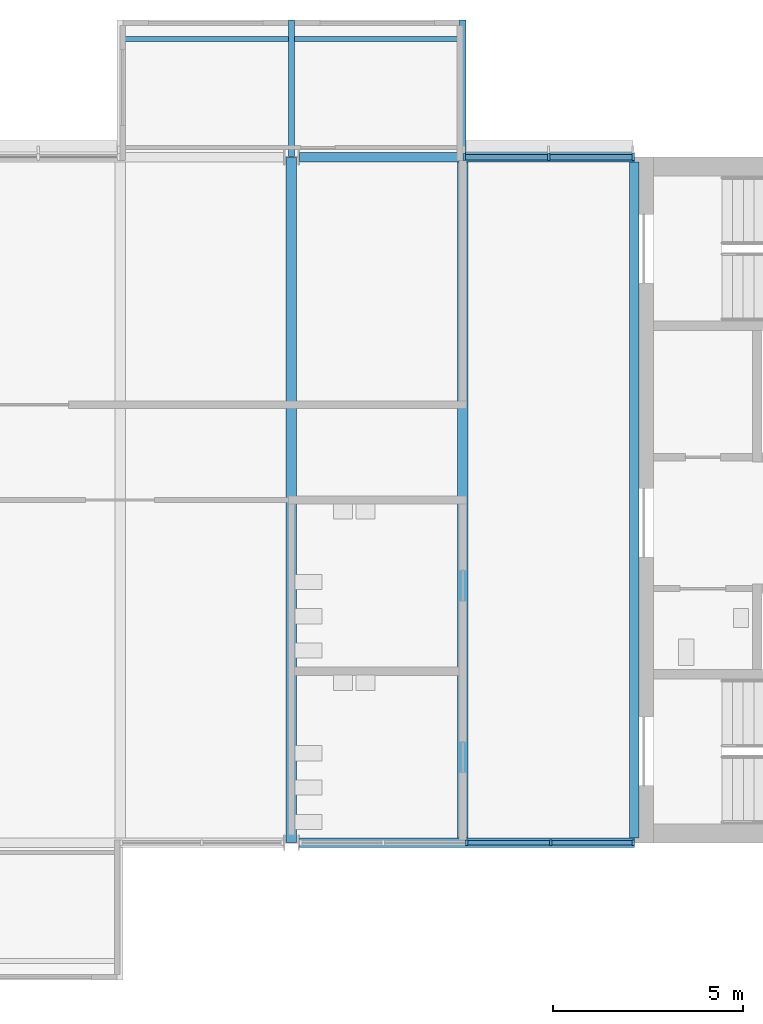
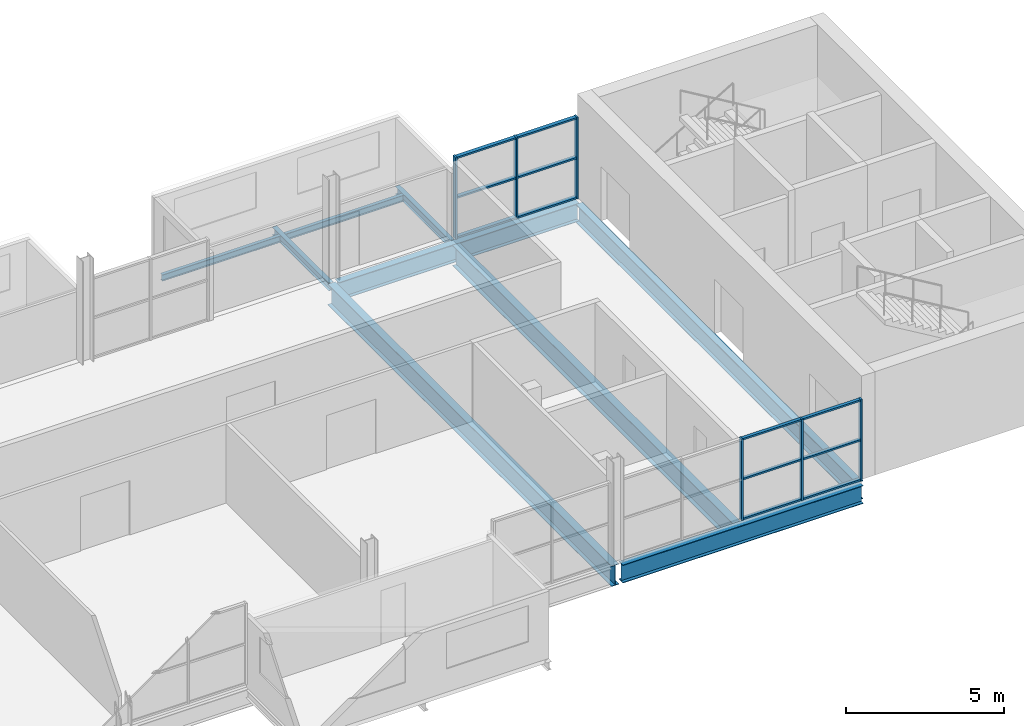
# One storey, part 3 of 10: 18 members, 9 beams, 2 elements without a shape of their own.
"""IFC4 building model written with IfcOpenShell, lengths in metres."""

from ifc_helpers import new_model, si_unit, direction, frame, origin, origin_2d, place, context, subcontext, project, spatial, rectangle, i_section, extrude, material, layer, layer_set, material_profile, profile_set, type_object, element, aggregate, save


model = new_model("IFC4")

# Units and contexts
model_context = context("Model", 3, precision=1e-05, world=origin(), true_north=direction((0.0, 1.0)))
body_context = subcontext(model_context, "Body", "Model", "MODEL_VIEW")
ifc_project = project(units=[si_unit("LENGTHUNIT", "METRE"), si_unit("AREAUNIT", "SQUARE_METRE"), si_unit("VOLUMEUNIT", "CUBIC_METRE"), si_unit("PLANEANGLEUNIT", "RADIAN"), si_unit("MASSUNIT", "GRAM", prefix="KILO")], contexts=[model_context])

# Site, building, storey
site_placement = place(None, origin())
site = spatial("IfcSite", under=ifc_project, at=site_placement, CompositionType="ELEMENT")
building_placement = place(site_placement, origin())
building = spatial("IfcBuilding", under=site, at=building_placement, Name="Corbel Yard City Hall", CompositionType="ELEMENT")
storey_placement = place(building_placement, frame((0.0, 0.0, 43.199951171875)))
storey = spatial("IfcBuildingStorey", under=building, at=storey_placement, Name="L10", CompositionType="ELEMENT", Elevation=43.199951171875)

# Beams
ifc_material_1 = material(Name="Steel Grade 350", Category="steel")
ifc_material_profile_1 = material_profile(ifc_material_1, i_section(OverallWidth=0.25, OverallDepth=0.699951171875, WebThickness=0.010009765625, FlangeThickness=0.02001953125, at=origin_2d()), Name="700WB130")
ifc_profile_set_1 = profile_set([ifc_material_profile_1], Name="Steel Grade 350")
beam_type_1 = type_object("IfcBeamType", Name="Edge beam 700WB130", PredefinedType="BEAM", material=ifc_profile_set_1)
for number, where, z_axis, x_axis, name in (
    (1, (36.20703125, 99.0, -0.5), (1.0, 0.0, 0.0), (0.0, 1.0, 0.0), "Edge beam 700WB130 EB9 L10tower"),
    (2, (36.20703125, 117.0, -0.5), (1.0, 0.0, 0.0), (0.0, 1.0, 0.0), "Edge beam 700WB130 EB9 L10tower"),
):
    element("IfcBeam", number, at=place(storey_placement, frame(where, z_axis=z_axis, x_axis=x_axis)), inside=storey, type_object=beam_type_1, Name=name, PredefinedType="BEAM", context=body_context, shape_type="SweptSolid", body=[
        extrude(i_section(OverallWidth=0.25, OverallDepth=0.699951171875, WebThickness=0.010009765625, FlangeThickness=0.02001953125, at=origin_2d()), origin(), (0.0, 0.0, 1.0), 8.79296875),
    ])
ifc_material_profile_2 = material_profile(ifc_material_1, i_section(OverallWidth=0.27490234375, OverallDepth=0.800048828125, WebThickness=0.010009765625, FlangeThickness=0.02001953125, at=origin_2d()), Name="800WB146")
ifc_profile_set_2 = profile_set([ifc_material_profile_2], Name="Steel Grade 350")
beam_type_2 = type_object("IfcBeamType", Name="Long-span beam 800WB146", PredefinedType="BEAM", material=ifc_profile_set_2)
beam_1_placement = place(storey_placement, frame((36.0, 99.012451171875, -0.550048828125), z_axis=(0.0, 1.0, 0.0), x_axis=(-1.0, 0.0, 0.0)))
element("IfcBeam", 3, at=beam_1_placement, inside=storey, type_object=beam_type_2, Name="Long-span beam 800WB146 SB8 L10tower", PredefinedType="BEAM", context=body_context, shape_type="SweptSolid", body=[
    extrude(i_section(OverallWidth=0.27490234375, OverallDepth=0.800048828125, WebThickness=0.010009765625, FlangeThickness=0.02001953125, at=origin_2d()), origin(), (0.0, 0.0, 1.0), 17.97509765625),
])
ifc_material_profile_3 = material_profile(ifc_material_1, i_section(OverallWidth=0.25, OverallDepth=0.7099609375, WebThickness=0.010009765625, FlangeThickness=0.02490234375, at=origin_2d()), Name="700WB150")
ifc_profile_set_3 = profile_set([ifc_material_profile_3], Name="Steel Grade 350")
beam_type_3 = type_object("IfcBeamType", Name="Long-span edge beam 700WB150", PredefinedType="BEAM", material=ifc_profile_set_3)
beam_2_placement = place(storey_placement, frame((45.0, 99.125, -0.5048828125), z_axis=(0.0, 1.0, 0.0), x_axis=(-1.0, 0.0, 0.0)))
element("IfcBeam", 4, at=beam_2_placement, inside=storey, type_object=beam_type_3, Name="Long-span edge beam 700WB150 EB8 L10tower", PredefinedType="BEAM", context=body_context, shape_type="SweptSolid", body=[
    extrude(i_section(OverallWidth=0.25, OverallDepth=0.7099609375, WebThickness=0.010009765625, FlangeThickness=0.02490234375, at=origin_2d()), origin(), (0.0, 0.0, 1.0), 17.75),
])
ifc_material_profile_4 = material_profile(ifc_material_1, i_section(OverallWidth=0.27490234375, OverallDepth=0.800048828125, WebThickness=0.010009765625, FlangeThickness=0.02001953125, at=origin_2d()), Name="800WB146")
ifc_profile_set_4 = profile_set([ifc_material_profile_4], Name="Steel Grade 350")
beam_type_4 = type_object("IfcBeamType", Name="Long-span secondary beam 800WB146", PredefinedType="JOIST", material=ifc_profile_set_4)
beam_3_placement = place(storey_placement, frame((40.5, 99.125, -0.550048828125), z_axis=(0.0, 1.0, 0.0), x_axis=(-1.0, 0.0, 0.0)))
element("IfcBeam", 5, at=beam_3_placement, inside=storey, type_object=beam_type_4, Name="Long-span secondary beam 800WB146 SB7 L10tower", PredefinedType="JOIST", context=body_context, shape_type="SweptSolid", body=[
    extrude(i_section(OverallWidth=0.27490234375, OverallDepth=0.800048828125, WebThickness=0.010009765625, FlangeThickness=0.02001953125, at=origin_2d()), origin(), (0.0, 0.0, 1.0), 17.75),
])

# Curtain wall, members
ifc_material_2 = material(Name="Aluminium extrusion", Category="aluminium")
ifc_layer_1 = layer(ifc_material_2, 0.14990234375)
ifc_layer_set_1 = layer_set([ifc_layer_1], Name="Aluminium extrusion")
curtain_wall_type_1 = type_object("IfcCurtainWallType", Name="CW2", PredefinedType="USERDEFINED", material=ifc_layer_set_1)
curtain_wall_1_placement = place(storey_placement, origin())
curtain_wall_1 = element("IfcCurtainWall", 6, at=curtain_wall_1_placement, inside=storey, type_object=curtain_wall_type_1, Name="Curtain wall CW2 L10", ObjectType="CURTAIN WALL", PredefinedType="USERDEFINED")
ifc_material_profile_5 = material_profile(ifc_material_2, rectangle(XDim=0.14990234375, YDim=0.06494140625, at=origin_2d()), Name="150x65")
ifc_profile_set_5 = profile_set([ifc_material_profile_5], Name="Aluminium extrusion")
member_type_1 = type_object("IfcMemberType", Name="ML2", PredefinedType="MULLION", material=ifc_profile_set_5)
member_1_placement = place(storey_placement, frame((40.603515625, 99.0, 0.0), z_axis=(0.0, 0.0, 1.0), x_axis=(0.0, 1.0, 0.0)))
member_1 = element("IfcMember", 7, at=member_1_placement, type_object=member_type_1, Name="CW2 mullion 3", PredefinedType="MULLION", context=body_context, shape_type="SweptSolid", body=[
    extrude(rectangle(XDim=0.14990234375, YDim=0.06494140625, at=origin_2d()), origin(), (0.0, 0.0, 1.0), 3.150146484375),
])
member_2_placement = place(storey_placement, frame((42.8017578125, 99.0, 0.0), z_axis=(0.0, 0.0, 1.0), x_axis=(0.0, 1.0, 0.0)))
member_2 = element("IfcMember", 8, at=member_2_placement, type_object=member_type_1, Name="CW2 mullion 4", PredefinedType="MULLION", context=body_context, shape_type="SweptSolid", body=[
    extrude(rectangle(XDim=0.14990234375, YDim=0.06494140625, at=origin_2d()), origin(), (0.0, 0.0, 1.0), 3.150146484375),
])
member_3_placement = place(storey_placement, frame((44.967529296875, 99.0, 0.0), z_axis=(0.0, 0.0, 1.0), x_axis=(0.0, 1.0, 0.0)))
member_3 = element("IfcMember", 9, at=member_3_placement, type_object=member_type_1, Name="CW2 mullion 5", PredefinedType="MULLION", context=body_context, shape_type="SweptSolid", body=[
    extrude(rectangle(XDim=0.14990234375, YDim=0.06494140625, at=origin_2d()), origin(), (0.0, 0.0, 1.0), 3.150146484375),
])

ifc_layer_2 = layer(ifc_material_2, 0.179931640625)
ifc_layer_set_2 = layer_set([ifc_layer_2], Name="Aluminium extrusion")
curtain_wall_type_2 = type_object("IfcCurtainWallType", Name="CW6", PredefinedType="USERDEFINED", material=ifc_layer_set_2)
curtain_wall_2_placement = place(storey_placement, origin())
curtain_wall_2 = element("IfcCurtainWall", 10, at=curtain_wall_2_placement, inside=storey, type_object=curtain_wall_type_2, Name="Curtain wall CW6 L10", ObjectType="CURTAIN WALL", PredefinedType="USERDEFINED")
ifc_material_profile_6 = material_profile(ifc_material_2, rectangle(XDim=0.179931640625, YDim=0.06494140625, at=origin_2d()), Name="180x65")
ifc_profile_set_6 = profile_set([ifc_material_profile_6], Name="Aluminium extrusion")
member_type_2 = type_object("IfcMemberType", Name="ML6", PredefinedType="MULLION", material=ifc_profile_set_6)
member_4_placement = place(storey_placement, frame((40.532470703125, 117.0, 0.0), z_axis=(0.0, 0.0, 1.0), x_axis=(0.0, 1.0, 0.0)))
member_4 = element("IfcMember", 11, at=member_4_placement, type_object=member_type_2, Name="CW6 mullion 1", PredefinedType="MULLION", context=body_context, shape_type="SweptSolid", body=[
    extrude(rectangle(XDim=0.179931640625, YDim=0.06494140625, at=origin_2d()), origin(), (0.0, 0.0, 1.0), 3.150146484375),
])
member_5_placement = place(storey_placement, frame((42.75, 117.0, 0.0), z_axis=(0.0, 0.0, 1.0), x_axis=(0.0, 1.0, 0.0)))
member_5 = element("IfcMember", 12, at=member_5_placement, type_object=member_type_2, Name="CW6 mullion 2", PredefinedType="MULLION", context=body_context, shape_type="SweptSolid", body=[
    extrude(rectangle(XDim=0.179931640625, YDim=0.06494140625, at=origin_2d()), origin(), (0.0, 0.0, 1.0), 3.150146484375),
])
member_6_placement = place(storey_placement, frame((44.967529296875, 117.0, 0.0), z_axis=(0.0, 0.0, 1.0), x_axis=(0.0, 1.0, 0.0)))
member_6 = element("IfcMember", 13, at=member_6_placement, type_object=member_type_2, Name="CW6 mullion 3", PredefinedType="MULLION", context=body_context, shape_type="SweptSolid", body=[
    extrude(rectangle(XDim=0.179931640625, YDim=0.06494140625, at=origin_2d()), origin(), (0.0, 0.0, 1.0), 3.150146484375),
])

# Beams
ifc_material_3 = material(Name="Steel Grade 300 (300 MPa yield)", Category="steel")
ifc_material_profile_7 = material_profile(ifc_material_3, i_section(OverallWidth=0.166015625, OverallDepth=0.306884765625, WebThickness=0.006591796875, FlangeThickness=0.01171875, at=origin_2d()), Name="310UB46.2")
ifc_profile_set_7 = profile_set([ifc_material_profile_7], Name="Steel Grade 300 (300 MPa yield)")
beam_type_5 = type_object("IfcBeamType", Name="Pod stub beam 310UB46.2", PredefinedType="BEAM", material=ifc_profile_set_7)
beam_4_placement = place(storey_placement, frame((36.0, 117.012451171875, -0.303466796875), z_axis=(0.0, 1.0, 0.0), x_axis=(-1.0, 0.0, 0.0)))
element("IfcBeam", 14, at=beam_4_placement, inside=storey, type_object=beam_type_5, Name="Pod stub 310UB46.2 CB1 L10", PredefinedType="BEAM", context=body_context, shape_type="SweptSolid", body=[
    extrude(i_section(OverallWidth=0.166015625, OverallDepth=0.306884765625, WebThickness=0.006591796875, FlangeThickness=0.01171875, at=origin_2d()), origin(), (0.0, 0.0, 1.0), 3.587646484375),
])
beam_5_placement = place(storey_placement, frame((40.5, 117.125, -0.303466796875), z_axis=(0.0, 1.0, 0.0), x_axis=(-1.0, 0.0, 0.0)))
element("IfcBeam", 15, at=beam_5_placement, inside=storey, type_object=beam_type_5, Name="Pod stub 310UB46.2 CB1 L10", PredefinedType="BEAM", context=body_context, shape_type="SweptSolid", body=[
    extrude(i_section(OverallWidth=0.166015625, OverallDepth=0.306884765625, WebThickness=0.006591796875, FlangeThickness=0.01171875, at=origin_2d()), origin(), (0.0, 0.0, 1.0), 3.47509765625),
])
ifc_material_profile_8 = material_profile(ifc_material_3, i_section(OverallWidth=0.1240234375, OverallDepth=0.248046875, WebThickness=0.0048828125, FlangeThickness=0.008056640625, at=origin_2d()), Name="250UB25.7")
ifc_profile_set_8 = profile_set([ifc_material_profile_8], Name="Steel Grade 300 (300 MPa yield)")
beam_type_6 = type_object("IfcBeamType", Name="Pod tip beam", PredefinedType="BEAM", material=ifc_profile_set_8)
for number, where, z_axis, x_axis, name in (
    (16, (31.5830078125, 120.10009765625, -0.27392578125), (1.0, 0.0, 0.0), (0.0, 1.0, 0.0), "Pod tip beam"),
    (17, (36.0830078125, 120.10009765625, -0.27392578125), (1.0, 0.0, 0.0), (0.0, 1.0, 0.0), "Pod tip beam"),
):
    element("IfcBeam", number, at=place(storey_placement, frame(where, z_axis=z_axis, x_axis=x_axis)), inside=storey, type_object=beam_type_6, Name=name, PredefinedType="BEAM", context=body_context, shape_type="SweptSolid", body=[
        extrude(i_section(OverallWidth=0.1240234375, OverallDepth=0.248046875, WebThickness=0.0048828125, FlangeThickness=0.008056640625, at=origin_2d()), origin(), (0.0, 0.0, 1.0), 4.333984375),
    ])

# Member
ifc_material_profile_9 = material_profile(ifc_material_2, rectangle(XDim=0.1201171875, YDim=0.06494140625, at=origin_2d()), Name="120x65")
ifc_profile_set_9 = profile_set([ifc_material_profile_9], Name="Aluminium extrusion")
member_type_3 = type_object("IfcMemberType", Name="TR2", PredefinedType="USERDEFINED", material=ifc_profile_set_9)
member_7_placement = place(storey_placement, frame((40.635986328125, 99.0, 0.032470703125), z_axis=(1.0, 0.0, 0.0), x_axis=(0.0, 1.0, 0.0)))
member_7 = element("IfcMember", 18, at=member_7_placement, type_object=member_type_3, Name="CW2 transom 3.1", ObjectType="TRANSOM", PredefinedType="USERDEFINED", context=body_context, shape_type="SweptSolid", body=[
    extrude(rectangle(XDim=0.1201171875, YDim=0.06494140625, at=origin_2d()), origin(), (0.0, 0.0, 1.0), 2.13330078125),
])

member_8_placement = place(storey_placement, frame((40.635986328125, 99.0, 1.574951171875), z_axis=(1.0, 0.0, 0.0), x_axis=(0.0, 1.0, 0.0)))
member_8 = element("IfcMember", 19, at=member_8_placement, type_object=member_type_3, Name="CW2 transom 3.2", ObjectType="TRANSOM", PredefinedType="USERDEFINED", context=body_context, shape_type="SweptSolid", body=[
    extrude(rectangle(XDim=0.1201171875, YDim=0.06494140625, at=origin_2d()), origin(), (0.0, 0.0, 1.0), 2.13330078125),
])

member_9_placement = place(storey_placement, frame((40.635986328125, 99.0, 3.117431640625), z_axis=(1.0, 0.0, 0.0), x_axis=(0.0, 1.0, 0.0)))
member_9 = element("IfcMember", 20, at=member_9_placement, type_object=member_type_3, Name="CW2 transom 3.3", ObjectType="TRANSOM", PredefinedType="USERDEFINED", context=body_context, shape_type="SweptSolid", body=[
    extrude(rectangle(XDim=0.1201171875, YDim=0.06494140625, at=origin_2d()), origin(), (0.0, 0.0, 1.0), 2.13330078125),
])

member_10_placement = place(storey_placement, frame((42.834228515625, 99.0, 0.032470703125), z_axis=(1.0, 0.0, 0.0), x_axis=(0.0, 1.0, 0.0)))
member_10 = element("IfcMember", 21, at=member_10_placement, type_object=member_type_3, Name="CW2 transom 4.1", ObjectType="TRANSOM", PredefinedType="USERDEFINED", context=body_context, shape_type="SweptSolid", body=[
    extrude(rectangle(XDim=0.1201171875, YDim=0.06494140625, at=origin_2d()), origin(), (0.0, 0.0, 1.0), 2.100830078125),
])

member_11_placement = place(storey_placement, frame((42.834228515625, 99.0, 1.574951171875), z_axis=(1.0, 0.0, 0.0), x_axis=(0.0, 1.0, 0.0)))
member_11 = element("IfcMember", 22, at=member_11_placement, type_object=member_type_3, Name="CW2 transom 4.2", ObjectType="TRANSOM", PredefinedType="USERDEFINED", context=body_context, shape_type="SweptSolid", body=[
    extrude(rectangle(XDim=0.1201171875, YDim=0.06494140625, at=origin_2d()), origin(), (0.0, 0.0, 1.0), 2.100830078125),
])

member_12_placement = place(storey_placement, frame((42.834228515625, 99.0, 3.117431640625), z_axis=(1.0, 0.0, 0.0), x_axis=(0.0, 1.0, 0.0)))
member_12 = element("IfcMember", 23, at=member_12_placement, type_object=member_type_3, Name="CW2 transom 4.3", ObjectType="TRANSOM", PredefinedType="USERDEFINED", context=body_context, shape_type="SweptSolid", body=[
    extrude(rectangle(XDim=0.1201171875, YDim=0.06494140625, at=origin_2d()), origin(), (0.0, 0.0, 1.0), 2.100830078125),
])

aggregate(curtain_wall_1, [member_1, member_2, member_3, member_7, member_8, member_9, member_10, member_11, member_12])

ifc_material_profile_10 = material_profile(ifc_material_2, rectangle(XDim=0.139892578125, YDim=0.06494140625, at=origin_2d()), Name="140x65")
ifc_profile_set_10 = profile_set([ifc_material_profile_10], Name="Aluminium extrusion")
member_type_4 = type_object("IfcMemberType", Name="TR6", PredefinedType="USERDEFINED", material=ifc_profile_set_10)
member_13_placement = place(storey_placement, frame((40.56494140625, 117.0, 0.032470703125), z_axis=(1.0, 0.0, 0.0), x_axis=(0.0, 1.0, 0.0)))
member_13 = element("IfcMember", 24, at=member_13_placement, type_object=member_type_4, Name="CW6 transom 1.1", ObjectType="TRANSOM", PredefinedType="USERDEFINED", context=body_context, shape_type="SweptSolid", body=[
    extrude(rectangle(XDim=0.139892578125, YDim=0.06494140625, at=origin_2d()), origin(), (0.0, 0.0, 1.0), 2.152587890625),
])

member_14_placement = place(storey_placement, frame((40.56494140625, 117.0, 1.574951171875), z_axis=(1.0, 0.0, 0.0), x_axis=(0.0, 1.0, 0.0)))
member_14 = element("IfcMember", 25, at=member_14_placement, type_object=member_type_4, Name="CW6 transom 1.2", ObjectType="TRANSOM", PredefinedType="USERDEFINED", context=body_context, shape_type="SweptSolid", body=[
    extrude(rectangle(XDim=0.139892578125, YDim=0.06494140625, at=origin_2d()), origin(), (0.0, 0.0, 1.0), 2.152587890625),
])

member_15_placement = place(storey_placement, frame((40.56494140625, 117.0, 3.117431640625), z_axis=(1.0, 0.0, 0.0), x_axis=(0.0, 1.0, 0.0)))
member_15 = element("IfcMember", 26, at=member_15_placement, type_object=member_type_4, Name="CW6 transom 1.3", ObjectType="TRANSOM", PredefinedType="USERDEFINED", context=body_context, shape_type="SweptSolid", body=[
    extrude(rectangle(XDim=0.139892578125, YDim=0.06494140625, at=origin_2d()), origin(), (0.0, 0.0, 1.0), 2.152587890625),
])

member_16_placement = place(storey_placement, frame((42.782470703125, 117.0, 0.032470703125), z_axis=(1.0, 0.0, 0.0), x_axis=(0.0, 1.0, 0.0)))
member_16 = element("IfcMember", 27, at=member_16_placement, type_object=member_type_4, Name="CW6 transom 2.1", ObjectType="TRANSOM", PredefinedType="USERDEFINED", context=body_context, shape_type="SweptSolid", body=[
    extrude(rectangle(XDim=0.139892578125, YDim=0.06494140625, at=origin_2d()), origin(), (0.0, 0.0, 1.0), 2.152587890625),
])

member_17_placement = place(storey_placement, frame((42.782470703125, 117.0, 1.574951171875), z_axis=(1.0, 0.0, 0.0), x_axis=(0.0, 1.0, 0.0)))
member_17 = element("IfcMember", 28, at=member_17_placement, type_object=member_type_4, Name="CW6 transom 2.2", ObjectType="TRANSOM", PredefinedType="USERDEFINED", context=body_context, shape_type="SweptSolid", body=[
    extrude(rectangle(XDim=0.139892578125, YDim=0.06494140625, at=origin_2d()), origin(), (0.0, 0.0, 1.0), 2.152587890625),
])

member_18_placement = place(storey_placement, frame((42.782470703125, 117.0, 3.117431640625), z_axis=(1.0, 0.0, 0.0), x_axis=(0.0, 1.0, 0.0)))
member_18 = element("IfcMember", 29, at=member_18_placement, type_object=member_type_4, Name="CW6 transom 2.3", ObjectType="TRANSOM", PredefinedType="USERDEFINED", context=body_context, shape_type="SweptSolid", body=[
    extrude(rectangle(XDim=0.139892578125, YDim=0.06494140625, at=origin_2d()), origin(), (0.0, 0.0, 1.0), 2.152587890625),
])

aggregate(curtain_wall_2, [member_4, member_5, member_6, member_13, member_14, member_15, member_16, member_17, member_18])

save(model, "model.ifc")
